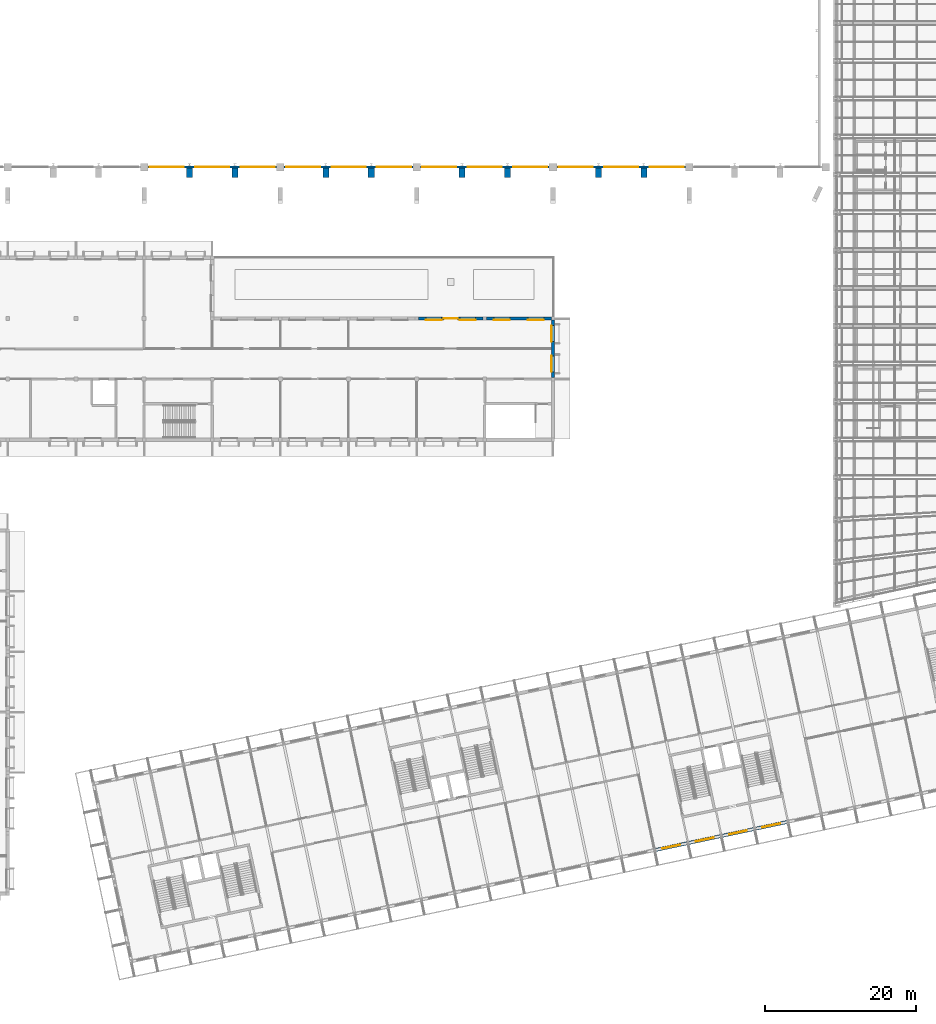
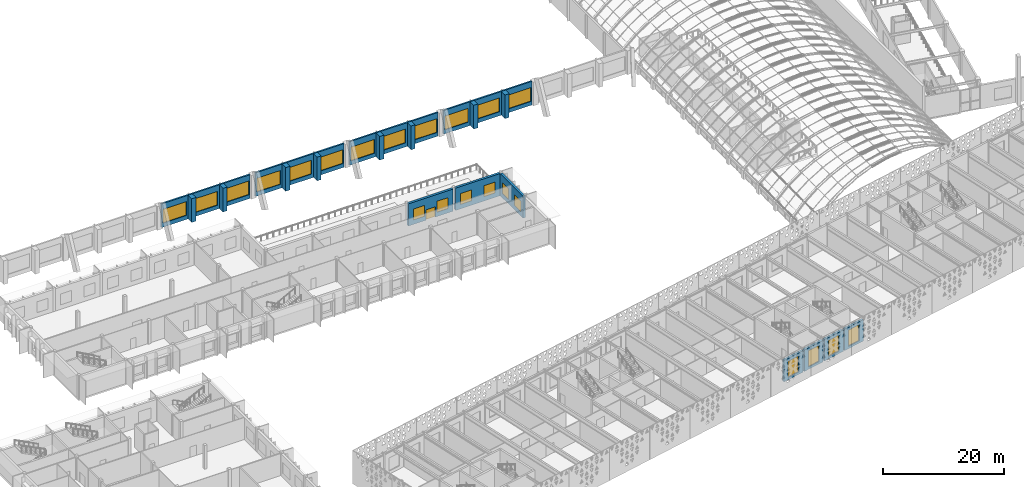
# One storey, part 129 of 182: 22 windows, 19 walls, 1 door, 23 openings.
"""IFC4 building model written with IfcOpenShell, lengths in metres."""

from ifc_helpers import new_model, si_unit, direction, frame, frame_2d, origin, place, context, subcontext, project, spatial, rectangle, extrude, material, layer, layer_set, type_object, element, fill, save


model = new_model("IFC4")

# Units and contexts
model_context = context("Model", 3, precision=1e-05, world=origin(), true_north=direction((0.0, 1.0)))
body_context = subcontext(model_context, "Body", "Model", "MODEL_VIEW")
ifc_project = project(units=[si_unit("LENGTHUNIT", "METRE"), si_unit("AREAUNIT", "SQUARE_METRE"), si_unit("VOLUMEUNIT", "CUBIC_METRE"), si_unit("PLANEANGLEUNIT", "RADIAN"), si_unit("MASSUNIT", "GRAM", prefix="KILO")], contexts=[model_context])

# Site, building, storey
site_placement = place(None, origin())
site = spatial("IfcSite", under=ifc_project, at=site_placement, CompositionType="ELEMENT")
building_placement = place(site_placement, origin())
building = spatial("IfcBuilding", under=site, at=building_placement, Name="Okhra Congress Centre", CompositionType="ELEMENT")
storey_placement = place(building_placement, frame((0.0, 0.0, 7.199951171875)))
storey = spatial("IfcBuildingStorey", under=building, at=storey_placement, Name="L01", CompositionType="ELEMENT", Elevation=7.199951171875)

# Walls
ifc_material_1 = material(Name="Concrete C35/45", Category="concrete")
ifc_layer_1 = layer(ifc_material_1, 0.800048828125)
ifc_layer_set_1 = layer_set([ifc_layer_1], Name="Buttress fin 800 REI 120 C35/45")
wall_type_1 = type_object("IfcWallType", Name="Buttress fin 800 REI 120 C35/45", PredefinedType="SOLIDWALL", material=ifc_layer_set_1)
for number, where, z_axis, x_axis, name in (
    (1, (70.0, 130.64990234375, 0.0), (0.0, 0.0, 1.0), (0.0, 1.0, 0.0), "EH.WALL.L01.12"),
    (2, (76.0, 130.64990234375, 0.0), (0.0, 0.0, 1.0), (0.0, 1.0, 0.0), "EH.WALL.L01.13"),
    (3, (88.0, 130.64990234375, 0.0), (0.0, 0.0, 1.0), (0.0, 1.0, 0.0), "EH.WALL.L01.14"),
    (4, (94.0, 130.64990234375, 0.0), (0.0, 0.0, 1.0), (0.0, 1.0, 0.0), "EH.WALL.L01.15"),
    (5, (106.0, 130.64990234375, 0.0), (0.0, 0.0, 1.0), (0.0, 1.0, 0.0), "EH.WALL.L01.16"),
    (6, (112.0, 130.64990234375, 0.0), (0.0, 0.0, 1.0), (0.0, 1.0, 0.0), "EH.WALL.L01.17"),
    (7, (124.0, 130.64990234375, 0.0), (0.0, 0.0, 1.0), (0.0, 1.0, 0.0), "EH.WALL.L01.18"),
    (8, (130.0, 130.64990234375, 0.0), (0.0, 0.0, 1.0), (0.0, 1.0, 0.0), "EH.WALL.L01.19"),
):
    element("IfcWall", number, at=place(storey_placement, frame(where, z_axis=z_axis, x_axis=x_axis)), inside=storey, type_object=wall_type_1, Name=name, PredefinedType="SOLIDWALL", context=body_context, shape_type="SweptSolid", body=[
        extrude(rectangle(XDim=1.210205078125, YDim=0.800048828125, at=frame_2d((0.60498046875, 0.0))), origin(), (0.0, 0.0, 1.0), 4.800048828125),
    ])

# Wall, opening, window
ifc_material_2 = material(Name="Insulated metal panel on steel stud (mineral wool, vapour barrier)", Category="steel")
ifc_layer_2 = layer(ifc_material_2, 0.449951171875)
ifc_layer_set_2 = layer_set([ifc_layer_2], Name="Insulated wall 450")
wall_type_2 = type_object("IfcWallType", Name="Insulated wall 450", PredefinedType="SOLIDWALL", material=ifc_layer_set_2)
wall_1_placement = place(storey_placement, frame((131.584228515625, 41.81005859375, 0.0), z_axis=(0.0, 0.0, 1.0), x_axis=(0.978146440129, 0.207917150959, 0.0)))
wall_1 = element("IfcWall", 9, at=wall_1_placement, inside=storey, type_object=wall_type_2, Name="External wall S17 L01", PredefinedType="SOLIDWALL", context=body_context, shape_type="SweptSolid", body=[
    extrude(rectangle(XDim=4.2001953125, YDim=0.449951171875, at=frame_2d((2.10009765625, 0.0))), origin(), (0.0, 0.0, 1.0), 4.35009765625),
])
opening_1_placement = place(wall_1_placement, frame((0.89990234375, 0.0, 0.449951171875)))
opening_1 = element("IfcOpeningElement", 10, at=opening_1_placement, cuts=wall_1, Name="Opening WN21", PredefinedType="OPENING", context=body_context, shape_type="SweptSolid", body=[
    extrude(rectangle(XDim=2.39990234375, YDim=3.300048828125, at=frame_2d((1.199951171875, 1.64990234375))), frame((0.0, 0.23486328125, 0.0), z_axis=(0.0, -1.0, 0.0), x_axis=(1.0, 0.0, 0.0)), (0.0, 0.0, 1.0), 0.469970703125),
])
ifc_material_3 = material(Name="Thermally broken aluminium frame, triple glazing", Category="aluminium")
window_type_1 = type_object("IfcWindowType", Name="Two-light window 2400x3300", PartitioningType="DOUBLE_PANEL_VERTICAL", PredefinedType="WINDOW", material=ifc_material_3)
window_1_placement = place(opening_1_placement, origin())
window_1 = element("IfcWindow", 11, at=window_1_placement, inside=storey, type_object=window_type_1, Name="BX.WIN.L01.17", OverallHeight=3.300048828125, OverallWidth=2.39990234375, PartitioningType="DOUBLE_PANEL_VERTICAL", PredefinedType="WINDOW", context=body_context, shape_type="SweptSolid", body=[
    extrude(rectangle(XDim=2.39990234375, YDim=3.300048828125, at=frame_2d((1.199951171875, 1.64990234375))), frame((0.0, 0.030029296875, 0.0), z_axis=(0.0, -1.0, 0.0), x_axis=(1.0, 0.0, 0.0)), (0.0, 0.0, 1.0), 0.06005859375),
])
fill(opening_1, window_1)

wall_2_placement = place(storey_placement, frame((135.986083984375, 42.74560546875, 0.0), z_axis=(0.0, 0.0, 1.0), x_axis=(0.978143927149, 0.207928972925, 0.0)))
wall_2 = element("IfcWall", 12, at=wall_2_placement, inside=storey, type_object=wall_type_2, Name="External wall S18 L01", PredefinedType="SOLIDWALL", context=body_context, shape_type="SweptSolid", body=[
    extrude(rectangle(XDim=4.199951171875, YDim=0.449951171875, at=frame_2d((2.10009765625, 0.0))), origin(), (0.0, 0.0, 1.0), 4.35009765625),
])
opening_2_placement = place(wall_2_placement, frame((0.89990234375, 0.0, 0.449951171875)))
opening_2 = element("IfcOpeningElement", 13, at=opening_2_placement, cuts=wall_2, Name="Opening WN21", PredefinedType="OPENING", context=body_context, shape_type="SweptSolid", body=[
    extrude(rectangle(XDim=2.39990234375, YDim=3.300048828125, at=frame_2d((1.199951171875, 1.64990234375))), frame((0.0, 0.23486328125, 0.0), z_axis=(0.0, -1.0, 0.0), x_axis=(1.0, 0.0, 0.0)), (0.0, 0.0, 1.0), 0.469970703125),
])
window_2_placement = place(opening_2_placement, origin())
window_2 = element("IfcWindow", 14, at=window_2_placement, inside=storey, type_object=window_type_1, Name="BX.WIN.L01.18", OverallHeight=3.300048828125, OverallWidth=2.39990234375, PartitioningType="DOUBLE_PANEL_VERTICAL", PredefinedType="WINDOW", context=body_context, shape_type="SweptSolid", body=[
    extrude(rectangle(XDim=2.39990234375, YDim=3.300048828125, at=frame_2d((1.199951171875, 1.64990234375))), frame((0.0, 0.030029296875, 0.0), z_axis=(0.0, -1.0, 0.0), x_axis=(1.0, 0.0, 0.0)), (0.0, 0.0, 1.0), 0.06005859375),
])
fill(opening_2, window_2)

wall_3_placement = place(storey_placement, frame((140.3876953125, 43.68115234375, 0.0), z_axis=(0.0, 0.0, 1.0), x_axis=(0.978143927149, 0.207928972925, 0.0)))
wall_3 = element("IfcWall", 15, at=wall_3_placement, inside=storey, type_object=wall_type_2, Name="External wall S19 L01", PredefinedType="SOLIDWALL", context=body_context, shape_type="SweptSolid", body=[
    extrude(rectangle(XDim=4.199951171875, YDim=0.449951171875, at=frame_2d((2.10009765625, 0.0))), origin(), (0.0, 0.0, 1.0), 4.35009765625),
])
opening_3_placement = place(wall_3_placement, frame((0.89990234375, 0.0, 0.449951171875)))
opening_3 = element("IfcOpeningElement", 16, at=opening_3_placement, cuts=wall_3, Name="Opening WN21", PredefinedType="OPENING", context=body_context, shape_type="SweptSolid", body=[
    extrude(rectangle(XDim=2.39990234375, YDim=3.300048828125, at=frame_2d((1.199951171875, 1.64990234375))), frame((0.0, 0.23486328125, 0.0), z_axis=(0.0, -1.0, 0.0), x_axis=(1.0, 0.0, 0.0)), (0.0, 0.0, 1.0), 0.469970703125),
])
window_3_placement = place(opening_3_placement, origin())
window_3 = element("IfcWindow", 17, at=window_3_placement, inside=storey, type_object=window_type_1, Name="BX.WIN.L01.19", OverallHeight=3.300048828125, OverallWidth=2.39990234375, PartitioningType="DOUBLE_PANEL_VERTICAL", PredefinedType="WINDOW", context=body_context, shape_type="SweptSolid", body=[
    extrude(rectangle(XDim=2.39990234375, YDim=3.300048828125, at=frame_2d((1.199951171875, 1.64990234375))), frame((0.0, 0.030029296875, 0.0), z_axis=(0.0, -1.0, 0.0), x_axis=(1.0, 0.0, 0.0)), (0.0, 0.0, 1.0), 0.06005859375),
])
fill(opening_3, window_3)

wall_4_placement = place(storey_placement, frame((144.789306640625, 44.616943359375, 0.0), z_axis=(0.0, 0.0, 1.0), x_axis=(0.978155748334, 0.207873355681, 0.0)))
wall_4 = element("IfcWall", 18, at=wall_4_placement, inside=storey, type_object=wall_type_2, Name="External wall S20 L01", PredefinedType="SOLIDWALL", context=body_context, shape_type="SweptSolid", body=[
    extrude(rectangle(XDim=4.199951171875, YDim=0.449951171875, at=frame_2d((2.10009765625, 0.0))), origin(), (0.0, 0.0, 1.0), 4.35009765625),
])
opening_4_placement = place(wall_4_placement, frame((0.89990234375, 0.0, 0.449951171875)))
opening_4 = element("IfcOpeningElement", 19, at=opening_4_placement, cuts=wall_4, Name="Opening WN21", PredefinedType="OPENING", context=body_context, shape_type="SweptSolid", body=[
    extrude(rectangle(XDim=2.39990234375, YDim=3.300048828125, at=frame_2d((1.199951171875, 1.64990234375))), frame((0.0, 0.23486328125, 0.0), z_axis=(0.0, -1.0, 0.0), x_axis=(1.0, 0.0, 0.0)), (0.0, 0.0, 1.0), 0.469970703125),
])
window_4_placement = place(opening_4_placement, origin())
window_4 = element("IfcWindow", 20, at=window_4_placement, inside=storey, type_object=window_type_1, Name="BX.WIN.L01.20", OverallHeight=3.300048828125, OverallWidth=2.39990234375, PartitioningType="DOUBLE_PANEL_VERTICAL", PredefinedType="WINDOW", context=body_context, shape_type="SweptSolid", body=[
    extrude(rectangle(XDim=2.39990234375, YDim=3.300048828125, at=frame_2d((1.199951171875, 1.64990234375))), frame((0.0, 0.030029296875, 0.0), z_axis=(0.0, -1.0, 0.0), x_axis=(1.0, 0.0, 0.0)), (0.0, 0.0, 1.0), 0.06005859375),
])
fill(opening_4, window_4)

# Wall, openings, windows
ifc_material_4 = material(Name="Insulated metal sandwich panel (mineral wool core)")
ifc_layer_3 = layer(ifc_material_4, 0.300048828125)
ifc_layer_set_3 = layer_set([ifc_layer_3], Name="Insulated wall panel 300")
wall_type_3 = type_object("IfcWallType", Name="Insulated wall panel 300", PredefinedType="SOLIDWALL", material=ifc_layer_set_3)
wall_5_placement = place(storey_placement, frame((64.5, 132.0, 0.0), z_axis=(0.0, 0.0, 1.0), x_axis=(1.0, 0.0, 0.0)))
wall_5 = element("IfcWall", 21, at=wall_5_placement, inside=storey, type_object=wall_type_3, Name="EH.WALL.L01.3", PredefinedType="SOLIDWALL", context=body_context, shape_type="SweptSolid", body=[
    extrude(rectangle(XDim=17.0, YDim=0.300048828125, at=frame_2d((8.5, 0.0))), origin(), (0.0, 0.0, 1.0), 4.800048828125),
])
opening_5_placement = place(wall_5_placement, frame((0.25, 0.0, 0.800048828125)))
opening_5 = element("IfcOpeningElement", 22, at=opening_5_placement, cuts=wall_5, Name="Opening WN3", PredefinedType="OPENING", context=body_context, shape_type="SweptSolid", body=[
    extrude(rectangle(XDim=4.5, YDim=2.800048828125, at=frame_2d((2.25, 1.39990234375))), frame((0.0, 0.159912109375, 0.0), z_axis=(0.0, -1.0, 0.0), x_axis=(1.0, 0.0, 0.0)), (0.0, 0.0, 1.0), 0.320068359375),
])
opening_6_placement = place(wall_5_placement, frame((6.25, 0.0, 0.800048828125)))
opening_6 = element("IfcOpeningElement", 23, at=opening_6_placement, cuts=wall_5, Name="Opening WN3", PredefinedType="OPENING", context=body_context, shape_type="SweptSolid", body=[
    extrude(rectangle(XDim=4.5, YDim=2.800048828125, at=frame_2d((2.25, 1.39990234375))), frame((0.0, 0.159912109375, 0.0), z_axis=(0.0, -1.0, 0.0), x_axis=(1.0, 0.0, 0.0)), (0.0, 0.0, 1.0), 0.320068359375),
])
opening_7_placement = place(wall_5_placement, frame((12.25, 0.0, 0.800048828125)))
opening_7 = element("IfcOpeningElement", 24, at=opening_7_placement, cuts=wall_5, Name="Opening WN3", PredefinedType="OPENING", context=body_context, shape_type="SweptSolid", body=[
    extrude(rectangle(XDim=4.5, YDim=2.800048828125, at=frame_2d((2.25, 1.39990234375))), frame((0.0, 0.159912109375, 0.0), z_axis=(0.0, -1.0, 0.0), x_axis=(1.0, 0.0, 0.0)), (0.0, 0.0, 1.0), 0.320068359375),
])
window_type_2 = type_object("IfcWindowType", Name="Fixed window 4500x2800", PartitioningType="SINGLE_PANEL", PredefinedType="WINDOW", material=ifc_material_3)
window_5_placement = place(opening_5_placement, origin())
window_5 = element("IfcWindow", 25, at=window_5_placement, inside=storey, type_object=window_type_2, Name="EH.WIN.L01.7", OverallHeight=2.800048828125, OverallWidth=4.5, PartitioningType="SINGLE_PANEL", PredefinedType="WINDOW", context=body_context, shape_type="SweptSolid", body=[
    extrude(rectangle(XDim=4.5, YDim=2.800048828125, at=frame_2d((2.25, 1.39990234375))), frame((0.0, 0.030029296875, 0.0), z_axis=(0.0, -1.0, 0.0), x_axis=(1.0, 0.0, 0.0)), (0.0, 0.0, 1.0), 0.06005859375),
])
fill(opening_5, window_5)
window_6_placement = place(opening_6_placement, origin())
window_6 = element("IfcWindow", 26, at=window_6_placement, inside=storey, type_object=window_type_2, Name="EH.WIN.L01.8", OverallHeight=2.800048828125, OverallWidth=4.5, PartitioningType="SINGLE_PANEL", PredefinedType="WINDOW", context=body_context, shape_type="SweptSolid", body=[
    extrude(rectangle(XDim=4.5, YDim=2.800048828125, at=frame_2d((2.25, 1.39990234375))), frame((0.0, 0.030029296875, 0.0), z_axis=(0.0, -1.0, 0.0), x_axis=(1.0, 0.0, 0.0)), (0.0, 0.0, 1.0), 0.06005859375),
])
fill(opening_6, window_6)
window_7_placement = place(opening_7_placement, origin())
window_7 = element("IfcWindow", 27, at=window_7_placement, inside=storey, type_object=window_type_2, Name="EH.WIN.L01.9", OverallHeight=2.800048828125, OverallWidth=4.5, PartitioningType="SINGLE_PANEL", PredefinedType="WINDOW", context=body_context, shape_type="SweptSolid", body=[
    extrude(rectangle(XDim=4.5, YDim=2.800048828125, at=frame_2d((2.25, 1.39990234375))), frame((0.0, 0.030029296875, 0.0), z_axis=(0.0, -1.0, 0.0), x_axis=(1.0, 0.0, 0.0)), (0.0, 0.0, 1.0), 0.06005859375),
])
fill(opening_7, window_7)

wall_6_placement = place(storey_placement, frame((82.5, 132.0, 0.0), z_axis=(0.0, 0.0, 1.0), x_axis=(1.0, 0.0, 0.0)))
wall_6 = element("IfcWall", 28, at=wall_6_placement, inside=storey, type_object=wall_type_3, Name="EH.WALL.L01.4", PredefinedType="SOLIDWALL", context=body_context, shape_type="SweptSolid", body=[
    extrude(rectangle(XDim=17.0, YDim=0.300048828125, at=frame_2d((8.5, 0.0))), origin(), (0.0, 0.0, 1.0), 4.800048828125),
])
opening_8_placement = place(wall_6_placement, frame((0.25, 0.0, 0.800048828125)))
opening_8 = element("IfcOpeningElement", 29, at=opening_8_placement, cuts=wall_6, Name="Opening WN3", PredefinedType="OPENING", context=body_context, shape_type="SweptSolid", body=[
    extrude(rectangle(XDim=4.5, YDim=2.800048828125, at=frame_2d((2.25, 1.39990234375))), frame((0.0, 0.159912109375, 0.0), z_axis=(0.0, -1.0, 0.0), x_axis=(1.0, 0.0, 0.0)), (0.0, 0.0, 1.0), 0.320068359375),
])
opening_9_placement = place(wall_6_placement, frame((6.25, 0.0, 0.800048828125)))
opening_9 = element("IfcOpeningElement", 30, at=opening_9_placement, cuts=wall_6, Name="Opening WN3", PredefinedType="OPENING", context=body_context, shape_type="SweptSolid", body=[
    extrude(rectangle(XDim=4.5, YDim=2.800048828125, at=frame_2d((2.25, 1.39990234375))), frame((0.0, 0.159912109375, 0.0), z_axis=(0.0, -1.0, 0.0), x_axis=(1.0, 0.0, 0.0)), (0.0, 0.0, 1.0), 0.320068359375),
])
opening_10_placement = place(wall_6_placement, frame((12.25, 0.0, 0.800048828125)))
opening_10 = element("IfcOpeningElement", 31, at=opening_10_placement, cuts=wall_6, Name="Opening WN3", PredefinedType="OPENING", context=body_context, shape_type="SweptSolid", body=[
    extrude(rectangle(XDim=4.5, YDim=2.800048828125, at=frame_2d((2.25, 1.39990234375))), frame((0.0, 0.159912109375, 0.0), z_axis=(0.0, -1.0, 0.0), x_axis=(1.0, 0.0, 0.0)), (0.0, 0.0, 1.0), 0.320068359375),
])
window_8_placement = place(opening_8_placement, origin())
window_8 = element("IfcWindow", 32, at=window_8_placement, inside=storey, type_object=window_type_2, Name="EH.WIN.L01.10", OverallHeight=2.800048828125, OverallWidth=4.5, PartitioningType="SINGLE_PANEL", PredefinedType="WINDOW", context=body_context, shape_type="SweptSolid", body=[
    extrude(rectangle(XDim=4.5, YDim=2.800048828125, at=frame_2d((2.25, 1.39990234375))), frame((0.0, 0.030029296875, 0.0), z_axis=(0.0, -1.0, 0.0), x_axis=(1.0, 0.0, 0.0)), (0.0, 0.0, 1.0), 0.06005859375),
])
fill(opening_8, window_8)
window_9_placement = place(opening_9_placement, origin())
window_9 = element("IfcWindow", 33, at=window_9_placement, inside=storey, type_object=window_type_2, Name="EH.WIN.L01.11", OverallHeight=2.800048828125, OverallWidth=4.5, PartitioningType="SINGLE_PANEL", PredefinedType="WINDOW", context=body_context, shape_type="SweptSolid", body=[
    extrude(rectangle(XDim=4.5, YDim=2.800048828125, at=frame_2d((2.25, 1.39990234375))), frame((0.0, 0.030029296875, 0.0), z_axis=(0.0, -1.0, 0.0), x_axis=(1.0, 0.0, 0.0)), (0.0, 0.0, 1.0), 0.06005859375),
])
fill(opening_9, window_9)
window_10_placement = place(opening_10_placement, origin())
window_10 = element("IfcWindow", 34, at=window_10_placement, inside=storey, type_object=window_type_2, Name="EH.WIN.L01.12", OverallHeight=2.800048828125, OverallWidth=4.5, PartitioningType="SINGLE_PANEL", PredefinedType="WINDOW", context=body_context, shape_type="SweptSolid", body=[
    extrude(rectangle(XDim=4.5, YDim=2.800048828125, at=frame_2d((2.25, 1.39990234375))), frame((0.0, 0.030029296875, 0.0), z_axis=(0.0, -1.0, 0.0), x_axis=(1.0, 0.0, 0.0)), (0.0, 0.0, 1.0), 0.06005859375),
])
fill(opening_10, window_10)

wall_7_placement = place(storey_placement, frame((100.5, 132.0, 0.0), z_axis=(0.0, 0.0, 1.0), x_axis=(1.0, 0.0, 0.0)))
wall_7 = element("IfcWall", 35, at=wall_7_placement, inside=storey, type_object=wall_type_3, Name="EH.WALL.L01.5", PredefinedType="SOLIDWALL", context=body_context, shape_type="SweptSolid", body=[
    extrude(rectangle(XDim=17.0, YDim=0.300048828125, at=frame_2d((8.5, 0.0))), origin(), (0.0, 0.0, 1.0), 4.800048828125),
])
opening_11_placement = place(wall_7_placement, frame((0.25, 0.0, 0.800048828125)))
opening_11 = element("IfcOpeningElement", 36, at=opening_11_placement, cuts=wall_7, Name="Opening WN3", PredefinedType="OPENING", context=body_context, shape_type="SweptSolid", body=[
    extrude(rectangle(XDim=4.5, YDim=2.800048828125, at=frame_2d((2.25, 1.39990234375))), frame((0.0, 0.159912109375, 0.0), z_axis=(0.0, -1.0, 0.0), x_axis=(1.0, 0.0, 0.0)), (0.0, 0.0, 1.0), 0.320068359375),
])
opening_12_placement = place(wall_7_placement, frame((6.25, 0.0, 0.800048828125)))
opening_12 = element("IfcOpeningElement", 37, at=opening_12_placement, cuts=wall_7, Name="Opening WN3", PredefinedType="OPENING", context=body_context, shape_type="SweptSolid", body=[
    extrude(rectangle(XDim=4.5, YDim=2.800048828125, at=frame_2d((2.25, 1.39990234375))), frame((0.0, 0.159912109375, 0.0), z_axis=(0.0, -1.0, 0.0), x_axis=(1.0, 0.0, 0.0)), (0.0, 0.0, 1.0), 0.320068359375),
])
opening_13_placement = place(wall_7_placement, frame((12.25, 0.0, 0.800048828125)))
opening_13 = element("IfcOpeningElement", 38, at=opening_13_placement, cuts=wall_7, Name="Opening WN3", PredefinedType="OPENING", context=body_context, shape_type="SweptSolid", body=[
    extrude(rectangle(XDim=4.5, YDim=2.800048828125, at=frame_2d((2.25, 1.39990234375))), frame((0.0, 0.159912109375, 0.0), z_axis=(0.0, -1.0, 0.0), x_axis=(1.0, 0.0, 0.0)), (0.0, 0.0, 1.0), 0.320068359375),
])
window_11_placement = place(opening_11_placement, origin())
window_11 = element("IfcWindow", 39, at=window_11_placement, inside=storey, type_object=window_type_2, Name="EH.WIN.L01.13", OverallHeight=2.800048828125, OverallWidth=4.5, PartitioningType="SINGLE_PANEL", PredefinedType="WINDOW", context=body_context, shape_type="SweptSolid", body=[
    extrude(rectangle(XDim=4.5, YDim=2.800048828125, at=frame_2d((2.25, 1.39990234375))), frame((0.0, 0.030029296875, 0.0), z_axis=(0.0, -1.0, 0.0), x_axis=(1.0, 0.0, 0.0)), (0.0, 0.0, 1.0), 0.06005859375),
])
fill(opening_11, window_11)
window_12_placement = place(opening_12_placement, origin())
window_12 = element("IfcWindow", 40, at=window_12_placement, inside=storey, type_object=window_type_2, Name="EH.WIN.L01.14", OverallHeight=2.800048828125, OverallWidth=4.5, PartitioningType="SINGLE_PANEL", PredefinedType="WINDOW", context=body_context, shape_type="SweptSolid", body=[
    extrude(rectangle(XDim=4.5, YDim=2.800048828125, at=frame_2d((2.25, 1.39990234375))), frame((0.0, 0.030029296875, 0.0), z_axis=(0.0, -1.0, 0.0), x_axis=(1.0, 0.0, 0.0)), (0.0, 0.0, 1.0), 0.06005859375),
])
fill(opening_12, window_12)
window_13_placement = place(opening_13_placement, origin())
window_13 = element("IfcWindow", 41, at=window_13_placement, inside=storey, type_object=window_type_2, Name="EH.WIN.L01.15", OverallHeight=2.800048828125, OverallWidth=4.5, PartitioningType="SINGLE_PANEL", PredefinedType="WINDOW", context=body_context, shape_type="SweptSolid", body=[
    extrude(rectangle(XDim=4.5, YDim=2.800048828125, at=frame_2d((2.25, 1.39990234375))), frame((0.0, 0.030029296875, 0.0), z_axis=(0.0, -1.0, 0.0), x_axis=(1.0, 0.0, 0.0)), (0.0, 0.0, 1.0), 0.06005859375),
])
fill(opening_13, window_13)

wall_8_placement = place(storey_placement, frame((118.5, 132.0, 0.0), z_axis=(0.0, 0.0, 1.0), x_axis=(1.0, 0.0, 0.0)))
wall_8 = element("IfcWall", 42, at=wall_8_placement, inside=storey, type_object=wall_type_3, Name="EH.WALL.L01.6", PredefinedType="SOLIDWALL", context=body_context, shape_type="SweptSolid", body=[
    extrude(rectangle(XDim=17.0, YDim=0.300048828125, at=frame_2d((8.5, 0.0))), origin(), (0.0, 0.0, 1.0), 4.800048828125),
])
opening_14_placement = place(wall_8_placement, frame((0.25, 0.0, 0.800048828125)))
opening_14 = element("IfcOpeningElement", 43, at=opening_14_placement, cuts=wall_8, Name="Opening WN3", PredefinedType="OPENING", context=body_context, shape_type="SweptSolid", body=[
    extrude(rectangle(XDim=4.5, YDim=2.800048828125, at=frame_2d((2.25, 1.39990234375))), frame((0.0, 0.159912109375, 0.0), z_axis=(0.0, -1.0, 0.0), x_axis=(1.0, 0.0, 0.0)), (0.0, 0.0, 1.0), 0.320068359375),
])
opening_15_placement = place(wall_8_placement, frame((6.25, 0.0, 0.800048828125)))
opening_15 = element("IfcOpeningElement", 44, at=opening_15_placement, cuts=wall_8, Name="Opening WN3", PredefinedType="OPENING", context=body_context, shape_type="SweptSolid", body=[
    extrude(rectangle(XDim=4.5, YDim=2.800048828125, at=frame_2d((2.25, 1.39990234375))), frame((0.0, 0.159912109375, 0.0), z_axis=(0.0, -1.0, 0.0), x_axis=(1.0, 0.0, 0.0)), (0.0, 0.0, 1.0), 0.320068359375),
])
opening_16_placement = place(wall_8_placement, frame((12.25, 0.0, 0.800048828125)))
opening_16 = element("IfcOpeningElement", 45, at=opening_16_placement, cuts=wall_8, Name="Opening WN3", PredefinedType="OPENING", context=body_context, shape_type="SweptSolid", body=[
    extrude(rectangle(XDim=4.5, YDim=2.800048828125, at=frame_2d((2.25, 1.39990234375))), frame((0.0, 0.159912109375, 0.0), z_axis=(0.0, -1.0, 0.0), x_axis=(1.0, 0.0, 0.0)), (0.0, 0.0, 1.0), 0.320068359375),
])
window_14_placement = place(opening_14_placement, origin())
window_14 = element("IfcWindow", 46, at=window_14_placement, inside=storey, type_object=window_type_2, Name="EH.WIN.L01.16", OverallHeight=2.800048828125, OverallWidth=4.5, PartitioningType="SINGLE_PANEL", PredefinedType="WINDOW", context=body_context, shape_type="SweptSolid", body=[
    extrude(rectangle(XDim=4.5, YDim=2.800048828125, at=frame_2d((2.25, 1.39990234375))), frame((0.0, 0.030029296875, 0.0), z_axis=(0.0, -1.0, 0.0), x_axis=(1.0, 0.0, 0.0)), (0.0, 0.0, 1.0), 0.06005859375),
])
fill(opening_14, window_14)
window_15_placement = place(opening_15_placement, origin())
window_15 = element("IfcWindow", 47, at=window_15_placement, inside=storey, type_object=window_type_2, Name="EH.WIN.L01.17", OverallHeight=2.800048828125, OverallWidth=4.5, PartitioningType="SINGLE_PANEL", PredefinedType="WINDOW", context=body_context, shape_type="SweptSolid", body=[
    extrude(rectangle(XDim=4.5, YDim=2.800048828125, at=frame_2d((2.25, 1.39990234375))), frame((0.0, 0.030029296875, 0.0), z_axis=(0.0, -1.0, 0.0), x_axis=(1.0, 0.0, 0.0)), (0.0, 0.0, 1.0), 0.06005859375),
])
fill(opening_15, window_15)
window_16_placement = place(opening_16_placement, origin())
window_16 = element("IfcWindow", 48, at=window_16_placement, inside=storey, type_object=window_type_2, Name="EH.WIN.L01.18", OverallHeight=2.800048828125, OverallWidth=4.5, PartitioningType="SINGLE_PANEL", PredefinedType="WINDOW", context=body_context, shape_type="SweptSolid", body=[
    extrude(rectangle(XDim=4.5, YDim=2.800048828125, at=frame_2d((2.25, 1.39990234375))), frame((0.0, 0.030029296875, 0.0), z_axis=(0.0, -1.0, 0.0), x_axis=(1.0, 0.0, 0.0)), (0.0, 0.0, 1.0), 0.06005859375),
])
fill(opening_16, window_16)

# Wall, openings, door, windows
ifc_material_5 = material(Name="Render on mineral wool insulation over masonry backing", Category="masonry")
ifc_layer_4 = layer(ifc_material_5, 0.449951171875)
ifc_layer_set_4 = layer_set([ifc_layer_4], Name="Rendered insulated wall 450")
wall_type_4 = type_object("IfcWallType", Name="Rendered insulated wall 450", PredefinedType="SOLIDWALL", material=ifc_layer_set_4)
wall_9_placement = place(storey_placement, frame((108.77490234375, 112.0, 0.0), z_axis=(0.0, 0.0, 1.0), x_axis=(-1.0, 0.0, 0.0)))
wall_9 = element("IfcWall", 49, at=wall_9_placement, inside=storey, type_object=wall_type_4, Name="SV.WALL.L01.33", PredefinedType="SOLIDWALL", context=body_context, shape_type="SweptSolid", body=[
    extrude(rectangle(XDim=8.5498046875, YDim=0.449951171875, at=frame_2d((4.27490234375, 0.0))), origin(), (0.0, 0.0, 1.0), 4.5),
])
opening_17_placement = place(wall_9_placement, frame((3.375, 0.0, 0.0)))
opening_17 = element("IfcOpeningElement", 50, at=opening_17_placement, cuts=wall_9, Name="Opening L01-051", PredefinedType="OPENING", context=body_context, shape_type="SweptSolid", body=[
    extrude(rectangle(XDim=1.800048828125, YDim=2.10009765625, at=frame_2d((0.89990234375, 1.050048828125))), frame((0.0, 0.23486328125, 0.0), z_axis=(0.0, -1.0, 0.0), x_axis=(1.0, 0.0, 0.0)), (0.0, 0.0, 1.0), 0.469970703125),
])
opening_18_placement = place(wall_9_placement, frame((5.47509765625, 0.0, 0.89990234375)))
opening_18 = element("IfcOpeningElement", 51, at=opening_18_placement, cuts=wall_9, Name="Opening WN15", PredefinedType="OPENING", context=body_context, shape_type="SweptSolid", body=[
    extrude(rectangle(XDim=2.10009765625, YDim=2.199951171875, at=frame_2d((1.050048828125, 1.10009765625))), frame((0.0, 0.23486328125, 0.0), z_axis=(0.0, -1.0, 0.0), x_axis=(1.0, 0.0, 0.0)), (0.0, 0.0, 1.0), 0.469970703125),
])
opening_19_placement = place(wall_9_placement, frame((0.97509765625, 0.0, 0.89990234375)))
opening_19 = element("IfcOpeningElement", 52, at=opening_19_placement, cuts=wall_9, Name="Opening WN15", PredefinedType="OPENING", context=body_context, shape_type="SweptSolid", body=[
    extrude(rectangle(XDim=2.10009765625, YDim=2.199951171875, at=frame_2d((1.050048828125, 1.10009765625))), frame((0.0, 0.23486328125, 0.0), z_axis=(0.0, -1.0, 0.0), x_axis=(1.0, 0.0, 0.0)), (0.0, 0.0, 1.0), 0.469970703125),
])
ifc_material_6 = material(Name="Aluminium-framed toughened glass door leaves", Category="aluminium")
door_type = type_object("IfcDoorType", Name="Aluminium glazed door pair 1800x2100", OperationType="NOTDEFINED", PredefinedType="DOOR", material=ifc_material_6)
door_placement = place(opening_17_placement, frame((1.800048828125, 0.0, 0.0), z_axis=(0.0, 0.0, 1.0), x_axis=(-1.0, 0.0, 0.0)))
door = element("IfcDoor", 53, at=door_placement, inside=storey, type_object=door_type, Name="Door L01-051", OperationType="DOUBLE_DOOR_SINGLE_SWING", OverallHeight=2.10009765625, OverallWidth=1.800048828125, PredefinedType="DOOR", context=body_context, shape_type="SweptSolid", body=[
    extrude(rectangle(XDim=1.800048828125, YDim=2.10009765625, at=frame_2d((0.89990234375, 1.050048828125))), frame((0.0, 0.02490234375, 0.0), z_axis=(0.0, -1.0, 0.0), x_axis=(1.0, 0.0, 0.0)), (0.0, 0.0, 1.0), 0.050048828125),
])
fill(opening_17, door)
window_type_3 = type_object("IfcWindowType", Name="Tilt-and-turn window 2100x2200", PartitioningType="SINGLE_PANEL", PredefinedType="WINDOW", material=ifc_material_3)
window_17_placement = place(opening_18_placement, origin())
window_17 = element("IfcWindow", 54, at=window_17_placement, inside=storey, type_object=window_type_3, Name="SV.WIN.L01.20", OverallHeight=2.199951171875, OverallWidth=2.10009765625, PartitioningType="SINGLE_PANEL", PredefinedType="WINDOW", context=body_context, shape_type="SweptSolid", body=[
    extrude(rectangle(XDim=2.10009765625, YDim=2.199951171875, at=frame_2d((1.050048828125, 1.10009765625))), frame((0.0, 0.215087890625, 0.0), z_axis=(0.0, -1.0, 0.0), x_axis=(1.0, 0.0, 0.0)), (0.0, 0.0, 1.0), 0.06005859375),
])
fill(opening_18, window_17)
window_18_placement = place(opening_19_placement, origin())
window_18 = element("IfcWindow", 55, at=window_18_placement, inside=storey, type_object=window_type_3, Name="SV.WIN.L01.21", OverallHeight=2.199951171875, OverallWidth=2.10009765625, PartitioningType="SINGLE_PANEL", PredefinedType="WINDOW", context=body_context, shape_type="SweptSolid", body=[
    extrude(rectangle(XDim=2.10009765625, YDim=2.199951171875, at=frame_2d((1.050048828125, 1.10009765625))), frame((0.0, 0.215087890625, 0.0), z_axis=(0.0, -1.0, 0.0), x_axis=(1.0, 0.0, 0.0)), (0.0, 0.0, 1.0), 0.06005859375),
])
fill(opening_19, window_18)

# Wall, openings, windows
wall_10_placement = place(storey_placement, frame((117.77490234375, 112.0, 0.0), z_axis=(0.0, 0.0, 1.0), x_axis=(-1.0, 0.0, 0.0)))
wall_10 = element("IfcWall", 56, at=wall_10_placement, inside=storey, type_object=wall_type_4, Name="SV.WALL.L01.34", PredefinedType="SOLIDWALL", context=body_context, shape_type="SweptSolid", body=[
    extrude(rectangle(XDim=8.5498046875, YDim=0.449951171875, at=frame_2d((4.27490234375, 0.0))), origin(), (0.0, 0.0, 1.0), 4.5),
])
opening_20_placement = place(wall_10_placement, frame((5.47509765625, 0.0, 0.89990234375)))
opening_20 = element("IfcOpeningElement", 57, at=opening_20_placement, cuts=wall_10, Name="Opening WN15", PredefinedType="OPENING", context=body_context, shape_type="SweptSolid", body=[
    extrude(rectangle(XDim=2.10009765625, YDim=2.199951171875, at=frame_2d((1.050048828125, 1.10009765625))), frame((0.0, 0.23486328125, 0.0), z_axis=(0.0, -1.0, 0.0), x_axis=(1.0, 0.0, 0.0)), (0.0, 0.0, 1.0), 0.469970703125),
])
opening_21_placement = place(wall_10_placement, frame((0.97509765625, 0.0, 0.89990234375)))
opening_21 = element("IfcOpeningElement", 58, at=opening_21_placement, cuts=wall_10, Name="Opening WN15", PredefinedType="OPENING", context=body_context, shape_type="SweptSolid", body=[
    extrude(rectangle(XDim=2.10009765625, YDim=2.199951171875, at=frame_2d((1.050048828125, 1.10009765625))), frame((0.0, 0.23486328125, 0.0), z_axis=(0.0, -1.0, 0.0), x_axis=(1.0, 0.0, 0.0)), (0.0, 0.0, 1.0), 0.469970703125),
])
window_19_placement = place(opening_20_placement, origin())
window_19 = element("IfcWindow", 59, at=window_19_placement, inside=storey, type_object=window_type_3, Name="SV.WIN.L01.22", OverallHeight=2.199951171875, OverallWidth=2.10009765625, PartitioningType="SINGLE_PANEL", PredefinedType="WINDOW", context=body_context, shape_type="SweptSolid", body=[
    extrude(rectangle(XDim=2.10009765625, YDim=2.199951171875, at=frame_2d((1.050048828125, 1.10009765625))), frame((0.0, 0.215087890625, 0.0), z_axis=(0.0, -1.0, 0.0), x_axis=(1.0, 0.0, 0.0)), (0.0, 0.0, 1.0), 0.06005859375),
])
fill(opening_20, window_19)
window_20_placement = place(opening_21_placement, origin())
window_20 = element("IfcWindow", 60, at=window_20_placement, inside=storey, type_object=window_type_3, Name="SV.WIN.L01.23", OverallHeight=2.199951171875, OverallWidth=2.10009765625, PartitioningType="SINGLE_PANEL", PredefinedType="WINDOW", context=body_context, shape_type="SweptSolid", body=[
    extrude(rectangle(XDim=2.10009765625, YDim=2.199951171875, at=frame_2d((1.050048828125, 1.10009765625))), frame((0.0, 0.215087890625, 0.0), z_axis=(0.0, -1.0, 0.0), x_axis=(1.0, 0.0, 0.0)), (0.0, 0.0, 1.0), 0.06005859375),
])
fill(opening_21, window_20)

wall_11_placement = place(storey_placement, frame((118.0, 104.22509765625, 0.0), z_axis=(0.0, 0.0, 1.0), x_axis=(0.0, 1.0, 0.0)))
wall_11 = element("IfcWall", 61, at=wall_11_placement, inside=storey, type_object=wall_type_4, Name="SV.WALL.L01.65", PredefinedType="SOLIDWALL", context=body_context, shape_type="SweptSolid", body=[
    extrude(rectangle(XDim=7.5498046875, YDim=0.449951171875, at=frame_2d((3.77490234375, 0.0))), origin(), (0.0, 0.0, 1.0), 4.5),
])
opening_22_placement = place(wall_11_placement, frame((0.72509765625, 0.0, 0.89990234375)))
opening_22 = element("IfcOpeningElement", 62, at=opening_22_placement, cuts=wall_11, Name="Opening WN15", PredefinedType="OPENING", context=body_context, shape_type="SweptSolid", body=[
    extrude(rectangle(XDim=2.10009765625, YDim=2.199951171875, at=frame_2d((1.050048828125, 1.10009765625))), frame((0.0, 0.23486328125, 0.0), z_axis=(0.0, -1.0, 0.0), x_axis=(1.0, 0.0, 0.0)), (0.0, 0.0, 1.0), 0.469970703125),
])
opening_23_placement = place(wall_11_placement, frame((4.72509765625, 0.0, 0.89990234375)))
opening_23 = element("IfcOpeningElement", 63, at=opening_23_placement, cuts=wall_11, Name="Opening WN15", PredefinedType="OPENING", context=body_context, shape_type="SweptSolid", body=[
    extrude(rectangle(XDim=2.10009765625, YDim=2.199951171875, at=frame_2d((1.050048828125, 1.10009765625))), frame((0.0, 0.23486328125, 0.0), z_axis=(0.0, -1.0, 0.0), x_axis=(1.0, 0.0, 0.0)), (0.0, 0.0, 1.0), 0.469970703125),
])
window_21_placement = place(opening_22_placement, origin())
window_21 = element("IfcWindow", 64, at=window_21_placement, inside=storey, type_object=window_type_3, Name="SV.WIN.L01.40", OverallHeight=2.199951171875, OverallWidth=2.10009765625, PartitioningType="SINGLE_PANEL", PredefinedType="WINDOW", context=body_context, shape_type="SweptSolid", body=[
    extrude(rectangle(XDim=2.10009765625, YDim=2.199951171875, at=frame_2d((1.050048828125, 1.10009765625))), frame((0.0, 0.215087890625, 0.0), z_axis=(0.0, -1.0, 0.0), x_axis=(1.0, 0.0, 0.0)), (0.0, 0.0, 1.0), 0.06005859375),
])
fill(opening_22, window_21)
window_22_placement = place(opening_23_placement, origin())
window_22 = element("IfcWindow", 65, at=window_22_placement, inside=storey, type_object=window_type_3, Name="SV.WIN.L01.41", OverallHeight=2.199951171875, OverallWidth=2.10009765625, PartitioningType="SINGLE_PANEL", PredefinedType="WINDOW", context=body_context, shape_type="SweptSolid", body=[
    extrude(rectangle(XDim=2.10009765625, YDim=2.199951171875, at=frame_2d((1.050048828125, 1.10009765625))), frame((0.0, 0.215087890625, 0.0), z_axis=(0.0, -1.0, 0.0), x_axis=(1.0, 0.0, 0.0)), (0.0, 0.0, 1.0), 0.06005859375),
])
fill(opening_23, window_22)

save(model, "model.ifc")
